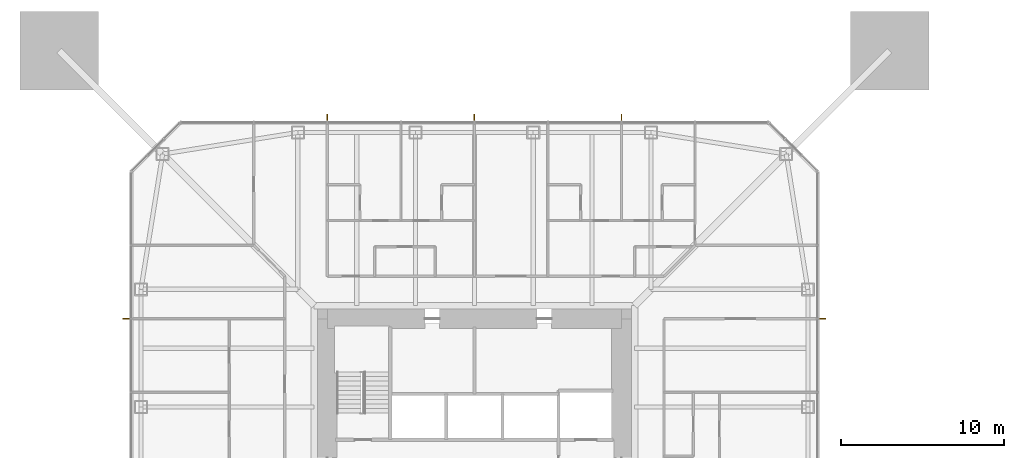
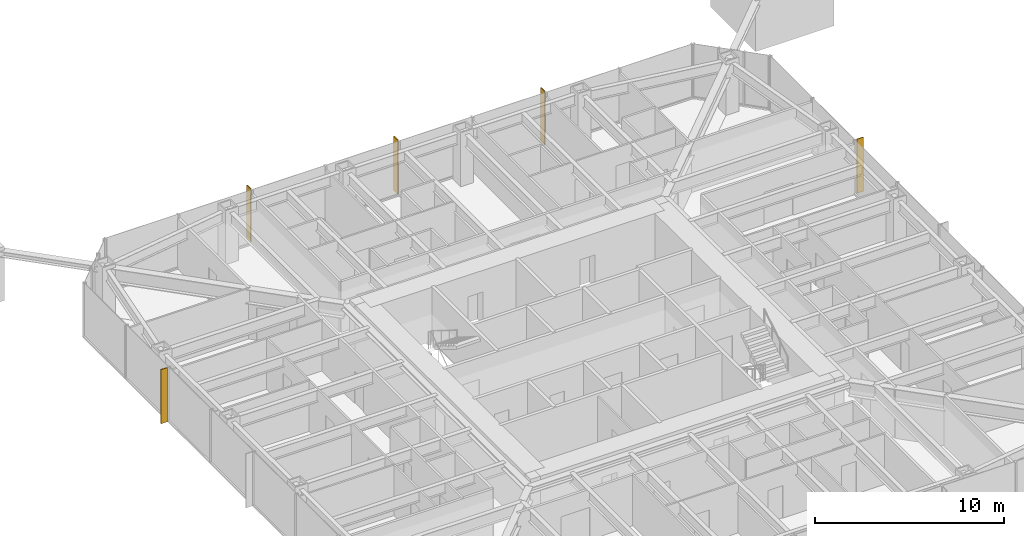
# One storey, part 24 of 25: 5 shading devices.
"""IFC4 building model written with IfcOpenShell, lengths in metres."""

from ifc_helpers import new_model, si_unit, direction, frame, origin, origin_2d, place, context, subcontext, project, spatial, rectangle, extrude, material, layer, layer_set, type_object, element, save


model = new_model("IFC4")

# Units and contexts
model_context = context("Model", 3, precision=1e-05, world=origin(), true_north=direction((0.0, 1.0)))
body_context = subcontext(model_context, "Body", "Model", "MODEL_VIEW")
ifc_project = project(units=[si_unit("LENGTHUNIT", "METRE"), si_unit("AREAUNIT", "SQUARE_METRE"), si_unit("VOLUMEUNIT", "CUBIC_METRE"), si_unit("PLANEANGLEUNIT", "RADIAN"), si_unit("MASSUNIT", "GRAM", prefix="KILO")], contexts=[model_context])

# Site, building, storey
site_placement = place(None, origin())
site = spatial("IfcSite", under=ifc_project, at=site_placement, CompositionType="ELEMENT")
building_placement = place(site_placement, origin())
building = spatial("IfcBuilding", under=site, at=building_placement, Name="Iwan Alto Co-Living Towers", CompositionType="ELEMENT")
storey_placement = place(building_placement, frame((0.0, 0.0, 108.5)))
storey = spatial("IfcBuildingStorey", under=building, at=storey_placement, Name="L29", CompositionType="ELEMENT", Elevation=108.5)

# Shading devices
ifc_material = material(Name="Aluminium 6063-T6 bronze anodised", Category="aluminium")
ifc_layer = layer(ifc_material, 0.050048828125)
ifc_layer_set = layer_set([ifc_layer], Name="BRONZE FIN 50X400")
shading_device_type = type_object("IfcShadingDeviceType", Name="BRONZE FIN 50X400", PredefinedType="USERDEFINED", material=ifc_layer_set)
for number, where, z_axis, x_axis, name in (
    (1, (21.300048828125, 9.0, 0.0), (0.0, 0.0, 1.0), (0.0, 1.0, 0.0), "Bronze fin L29"),
    (2, (9.0, 21.300048828125, 0.0), (0.0, 0.0, 1.0), (-1.0, 0.0, 0.0), "Bronze fin L29"),
    (3, (0.0, 21.300048828125, 0.0), (0.0, 0.0, 1.0), (-1.0, 0.0, 0.0), "Bronze fin L29"),
    (4, (-9.0, 21.300048828125, 0.0), (0.0, 0.0, 1.0), (-1.0, 0.0, 0.0), "Bronze fin L29"),
    (5, (-21.300048828125, 9.0, 0.0), (0.0, 0.0, 1.0), (0.0, -1.0, 0.0), "Bronze fin L29"),
):
    element("IfcShadingDevice", number, at=place(storey_placement, frame(where, z_axis=z_axis, x_axis=x_axis)), inside=storey, type_object=shading_device_type, Name=name, ObjectType="LOUVER", PredefinedType="USERDEFINED", context=body_context, shape_type="SweptSolid", body=[
        extrude(rectangle(XDim=0.050048828125, YDim=0.39990234375, at=origin_2d()), origin(), (0.0, 0.0, 1.0), 3.5),
    ])

save(model, "model.ifc")
